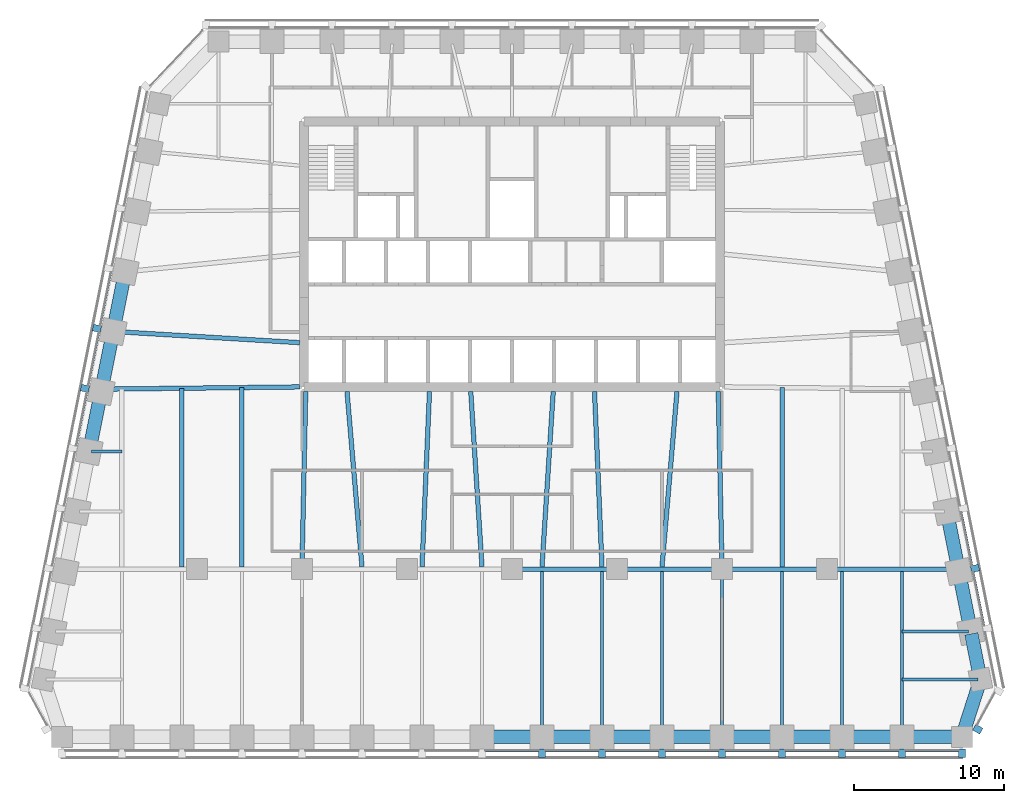
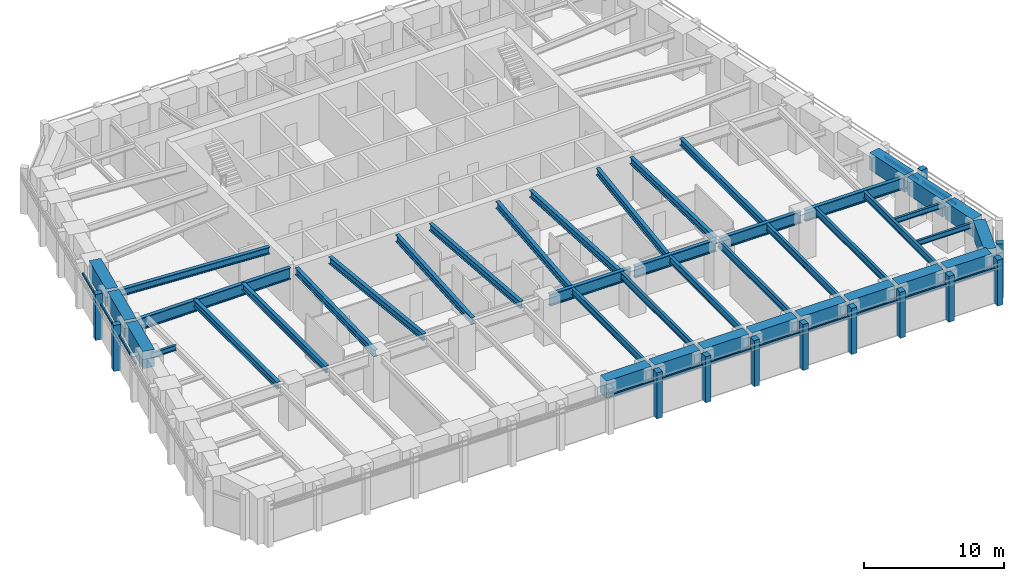
# One storey, part 2 of 9: 42 beams, 25 members, 4 elements without a shape of their own.
"""IFC4 building model written with IfcOpenShell, lengths in metres."""

from ifc_helpers import new_model, si_unit, direction, frame, origin, origin_2d, place, context, subcontext, project, spatial, rectangle, i_section, extrude, material, material_profile, profile_set, type_object, element, aggregate, save


model = new_model("IFC4")

# Units and contexts
model_context = context("Model", 3, precision=1e-05, world=origin(), true_north=direction((0.0, 1.0)))
body_context = subcontext(model_context, "Body", "Model", "MODEL_VIEW")
ifc_project = project(units=[si_unit("LENGTHUNIT", "METRE"), si_unit("AREAUNIT", "SQUARE_METRE"), si_unit("VOLUMEUNIT", "CUBIC_METRE"), si_unit("PLANEANGLEUNIT", "RADIAN"), si_unit("MASSUNIT", "GRAM", prefix="KILO")], contexts=[model_context])

# Site, building, storey
site_placement = place(None, origin())
site = spatial("IfcSite", under=ifc_project, at=site_placement, CompositionType="ELEMENT")
building_placement = place(site_placement, origin())
building = spatial("IfcBuilding", under=site, at=building_placement, Name="Isbrekke Arena Tower", CompositionType="ELEMENT")
storey_placement = place(building_placement, frame((0.0, 0.0, 178.0)))
storey = spatial("IfcBuildingStorey", under=building, at=storey_placement, Name="L40", CompositionType="ELEMENT", Elevation=178.0)

# Beams
ifc_material_1 = material(Name="Steel S355", Category="steel")
ifc_material_profile_1 = material_profile(ifc_material_1, i_section(OverallWidth=0.219970703125, OverallDepth=0.60009765625, WebThickness=0.011962890625, FlangeThickness=0.01904296875, FilletRadius=0.02392578125, at=origin_2d()), Name="IPE 600")
ifc_profile_set_1 = profile_set([ifc_material_profile_1], Name="Steel S355")
beam_type_1 = type_object("IfcBeamType", Name="B1 IPE 600", PredefinedType="BEAM", material=ifc_profile_set_1)
for number, where, z_axis, x_axis, name in (
    (1, (2.0, -17.02490234375, 3.550048828125), (0.0, 1.0, 0.0), (-1.0, 0.0, 0.0), "B1 beam S-S09 L40"),
    (2, (6.0, -17.02490234375, 3.550048828125), (0.0, 1.0, 0.0), (-1.0, 0.0, 0.0), "B1 beam S-S10 L40"),
    (3, (10.0, -17.02490234375, 3.550048828125), (0.0, 1.0, 0.0), (-1.0, 0.0, 0.0), "B1 beam S-S11 L40"),
):
    element("IfcBeam", number, at=place(storey_placement, frame(where, z_axis=z_axis, x_axis=x_axis)), inside=storey, type_object=beam_type_1, Name=name, PredefinedType="BEAM", context=body_context, shape_type="SweptSolid", body=[
        extrude(i_section(OverallWidth=0.219970703125, OverallDepth=0.60009765625, WebThickness=0.011962890625, FlangeThickness=0.01904296875, FilletRadius=0.02392578125, at=origin_2d()), origin(), (0.0, 0.0, 1.0), 10.8740234375),
    ])
beam_1_placement = place(storey_placement, frame((14.0, -17.02490234375, 3.550048828125), z_axis=(0.0, 1.0, 0.0), x_axis=(-1.0, 0.0, 0.0)))
element("IfcBeam", 4, at=beam_1_placement, inside=storey, type_object=beam_type_1, Name="B1 beam S-S12 L40", PredefinedType="BEAM", context=body_context, shape_type="SweptSolid", body=[
    extrude(i_section(OverallWidth=0.219970703125, OverallDepth=0.60009765625, WebThickness=0.011962890625, FlangeThickness=0.01904296875, FilletRadius=0.02392578125, at=origin_2d()), origin(), (0.0, 0.0, 1.0), 10.875),
])
for number, where, z_axis, x_axis, name in (
    (5, (18.0, -17.02490234375, 3.550048828125), (0.0, 1.0, 0.0), (-1.0, 0.0, 0.0), "B1 beam S-S13 L40"),
    (6, (22.0, -17.02490234375, 3.550048828125), (0.0, 1.0, 0.0), (-1.0, 0.0, 0.0), "B1 beam S-S14 L40"),
    (7, (26.0, -17.02490234375, 3.550048828125), (0.0, 1.0, 0.0), (-1.0, 0.0, 0.0), "B1 beam S-S15 L40"),
):
    element("IfcBeam", number, at=place(storey_placement, frame(where, z_axis=z_axis, x_axis=x_axis)), inside=storey, type_object=beam_type_1, Name=name, PredefinedType="BEAM", context=body_context, shape_type="SweptSolid", body=[
        extrude(i_section(OverallWidth=0.219970703125, OverallDepth=0.60009765625, WebThickness=0.011962890625, FlangeThickness=0.01904296875, FilletRadius=0.02392578125, at=origin_2d()), origin(), (0.0, 0.0, 1.0), 10.8740234375),
    ])
ifc_material_2 = material(Name="Steel S355", Category="steel")
ifc_material_profile_2 = material_profile(ifc_material_2, i_section(OverallWidth=0.18994140625, OverallDepth=0.449951171875, WebThickness=0.009521484375, FlangeThickness=0.0146484375, FilletRadius=0.02099609375, at=origin_2d()), Name="IPE 450")
ifc_profile_set_2 = profile_set([ifc_material_profile_2], Name="Steel S355")
beam_type_2 = type_object("IfcBeamType", Name="B2 IPE 450", PredefinedType="BEAM", material=ifc_profile_set_2)
beam_2_placement = place(storey_placement, frame((31.079345703125, -13.352783203125, 3.625), z_axis=(-1.0, 0.0, 0.0), x_axis=(0.0, -1.0, 0.0)))
element("IfcBeam", 8, at=beam_2_placement, inside=storey, type_object=beam_type_2, Name="B2 beam E-E01 L40", PredefinedType="BEAM", context=body_context, shape_type="SweptSolid", body=[
    extrude(i_section(OverallWidth=0.18994140625, OverallDepth=0.449951171875, WebThickness=0.009521484375, FlangeThickness=0.0146484375, FilletRadius=0.02099609375, at=origin_2d()), origin(), (0.0, 0.0, 1.0), 5.079345703125),
])
beam_3_placement = place(storey_placement, frame((30.44091796875, -10.161865234375, 3.625), z_axis=(-1.0, 0.0, 0.0), x_axis=(0.0, -1.0, 0.0)))
element("IfcBeam", 9, at=beam_3_placement, inside=storey, type_object=beam_type_2, Name="B2 beam E-E02 L40", PredefinedType="BEAM", context=body_context, shape_type="SweptSolid", body=[
    extrude(i_section(OverallWidth=0.18994140625, OverallDepth=0.449951171875, WebThickness=0.009521484375, FlangeThickness=0.0146484375, FilletRadius=0.02099609375, at=origin_2d()), origin(), (0.0, 0.0, 1.0), 4.44091796875),
])
beam_4_placement = place(storey_placement, frame((-28.041015625, 1.838134765625, 3.625), z_axis=(1.0, 0.0, 0.0), x_axis=(0.0, 1.0, 0.0)))
element("IfcBeam", 10, at=beam_4_placement, inside=storey, type_object=beam_type_2, Name="B2 beam E-W07 L40", PredefinedType="BEAM", context=body_context, shape_type="SweptSolid", body=[
    extrude(i_section(OverallWidth=0.18994140625, OverallDepth=0.449951171875, WebThickness=0.009521484375, FlangeThickness=0.0146484375, FilletRadius=0.02099609375, at=origin_2d()), origin(), (0.0, 0.0, 1.0), 2.041015625),
])
ifc_material_3 = material(Name="Steel S355", Category="steel")
ifc_material_profile_3 = material_profile(ifc_material_3, i_section(OverallWidth=0.300048828125, OverallDepth=0.60009765625, WebThickness=0.015380859375, FlangeThickness=0.030029296875, FilletRadius=0.027099609375, at=origin_2d()), Name="HEB 600")
ifc_profile_set_3 = profile_set([ifc_material_profile_3], Name="Steel S355")
beam_type_3 = type_object("IfcBeamType", Name="B7 HEB 600", PredefinedType="BEAM", material=ifc_profile_set_3)
beam_5_placement = place(storey_placement, frame((-22.0, -5.84912109375, 3.550048828125), z_axis=(0.0, 1.0, 0.0), x_axis=(-1.0, 0.0, 0.0)))
element("IfcBeam", 11, at=beam_5_placement, inside=storey, type_object=beam_type_3, Name="B7 beam C-M02 L40", PredefinedType="BEAM", context=body_context, shape_type="SweptSolid", body=[
    extrude(i_section(OverallWidth=0.300048828125, OverallDepth=0.60009765625, WebThickness=0.015380859375, FlangeThickness=0.030029296875, FilletRadius=0.027099609375, at=origin_2d()), origin(), (0.0, 0.0, 1.0), 11.91015625),
])
beam_6_placement = place(storey_placement, frame((-18.0, -5.84912109375, 3.550048828125), z_axis=(0.0, 1.0, 0.0), x_axis=(-1.0, 0.0, 0.0)))
element("IfcBeam", 12, at=beam_6_placement, inside=storey, type_object=beam_type_3, Name="B7 beam C-M03 L40", PredefinedType="BEAM", context=body_context, shape_type="SweptSolid", body=[
    extrude(i_section(OverallWidth=0.300048828125, OverallDepth=0.60009765625, WebThickness=0.015380859375, FlangeThickness=0.030029296875, FilletRadius=0.027099609375, at=origin_2d()), origin(), (0.0, 0.0, 1.0), 11.95556640625),
])
beam_7_placement = place(storey_placement, frame((-14.0, -5.8466796875, 3.550048828125), z_axis=(0.021368528218, 0.999771666933, 0.0), x_axis=(-0.999771666933, 0.021368528218, 0.0)))
element("IfcBeam", 13, at=beam_7_placement, inside=storey, type_object=beam_type_3, Name="B7 beam C-M04 L40", PredefinedType="BEAM", context=body_context, shape_type="SweptSolid", body=[
    extrude(i_section(OverallWidth=0.300048828125, OverallDepth=0.60009765625, WebThickness=0.015380859375, FlangeThickness=0.030029296875, FilletRadius=0.027099609375, at=origin_2d()), origin(), (0.0, 0.0, 1.0), 11.699462890625),
])
beam_8_placement = place(storey_placement, frame((-10.0009765625, -5.836181640625, 3.550048828125), z_axis=(-0.085176202372, 0.996365903948, 0.0), x_axis=(-0.996365903948, -0.085176202372, 0.0)))
element("IfcBeam", 14, at=beam_8_placement, inside=storey, type_object=beam_type_3, Name="B7 beam C-M05 L40", PredefinedType="BEAM", context=body_context, shape_type="SweptSolid", body=[
    extrude(i_section(OverallWidth=0.300048828125, OverallDepth=0.60009765625, WebThickness=0.015380859375, FlangeThickness=0.030029296875, FilletRadius=0.027099609375, at=origin_2d()), origin(), (0.0, 0.0, 1.0), 11.72900390625),
])
beam_9_placement = place(storey_placement, frame((-5.999755859375, -5.842529296875, 3.550048828125), z_axis=(0.042702124015, 0.999087848292, 0.0), x_axis=(-0.999087848292, 0.042702124015, 0.0)))
element("IfcBeam", 15, at=beam_9_placement, inside=storey, type_object=beam_type_3, Name="B7 beam C-M06 L40", PredefinedType="BEAM", context=body_context, shape_type="SweptSolid", body=[
    extrude(i_section(OverallWidth=0.300048828125, OverallDepth=0.60009765625, WebThickness=0.015380859375, FlangeThickness=0.030029296875, FilletRadius=0.027099609375, at=origin_2d()), origin(), (0.0, 0.0, 1.0), 11.703369140625),
])
for number, where, z_axis, x_axis, name in (
    (16, (-2.000732421875, -5.83935546875, 3.550048828125), (-0.063966475255, 0.997952047968, 0.0), (-0.997952047968, -0.063966475255, 0.0), "B7 beam C-M07 L40"),
    (17, (2.000732421875, -5.83935546875, 3.550048828125), (0.063966475255, 0.997952047968, 0.0), (-0.997952047968, 0.063966475255, 0.0), "B7 beam C-M08 L40"),
):
    element("IfcBeam", number, at=place(storey_placement, frame(where, z_axis=z_axis, x_axis=x_axis)), inside=storey, type_object=beam_type_3, Name=name, PredefinedType="BEAM", context=body_context, shape_type="SweptSolid", body=[
        extrude(i_section(OverallWidth=0.300048828125, OverallDepth=0.60009765625, WebThickness=0.015380859375, FlangeThickness=0.030029296875, FilletRadius=0.027099609375, at=origin_2d()), origin(), (0.0, 0.0, 1.0), 11.71337890625),
    ])
beam_10_placement = place(storey_placement, frame((5.999755859375, -5.842529296875, 3.550048828125), z_axis=(-0.042702124015, 0.999087848292, 0.0), x_axis=(-0.999087848292, -0.042702124015, 0.0)))
element("IfcBeam", 18, at=beam_10_placement, inside=storey, type_object=beam_type_3, Name="B7 beam C-M09 L40", PredefinedType="BEAM", context=body_context, shape_type="SweptSolid", body=[
    extrude(i_section(OverallWidth=0.300048828125, OverallDepth=0.60009765625, WebThickness=0.015380859375, FlangeThickness=0.030029296875, FilletRadius=0.027099609375, at=origin_2d()), origin(), (0.0, 0.0, 1.0), 11.703369140625),
])
beam_11_placement = place(storey_placement, frame((10.0009765625, -5.836181640625, 3.550048828125), z_axis=(0.085176202372, 0.996365903948, 0.0), x_axis=(-0.996365903948, 0.085176202372, 0.0)))
element("IfcBeam", 19, at=beam_11_placement, inside=storey, type_object=beam_type_3, Name="B7 beam C-M10 L40", PredefinedType="BEAM", context=body_context, shape_type="SweptSolid", body=[
    extrude(i_section(OverallWidth=0.300048828125, OverallDepth=0.60009765625, WebThickness=0.015380859375, FlangeThickness=0.030029296875, FilletRadius=0.027099609375, at=origin_2d()), origin(), (0.0, 0.0, 1.0), 11.72900390625),
])
beam_12_placement = place(storey_placement, frame((14.0, -5.8466796875, 3.550048828125), z_axis=(-0.021368528218, 0.999771666933, 0.0), x_axis=(-0.999771666933, -0.021368528218, 0.0)))
element("IfcBeam", 20, at=beam_12_placement, inside=storey, type_object=beam_type_3, Name="B7 beam C-M11 L40", PredefinedType="BEAM", context=body_context, shape_type="SweptSolid", body=[
    extrude(i_section(OverallWidth=0.300048828125, OverallDepth=0.60009765625, WebThickness=0.015380859375, FlangeThickness=0.030029296875, FilletRadius=0.027099609375, at=origin_2d()), origin(), (0.0, 0.0, 1.0), 11.699462890625),
])
beam_13_placement = place(storey_placement, frame((18.0, -5.84912109375, 3.550048828125), z_axis=(0.0, 1.0, 0.0), x_axis=(-1.0, 0.0, 0.0)))
element("IfcBeam", 21, at=beam_13_placement, inside=storey, type_object=beam_type_3, Name="B7 beam C-M12 L40", PredefinedType="BEAM", context=body_context, shape_type="SweptSolid", body=[
    extrude(i_section(OverallWidth=0.300048828125, OverallDepth=0.60009765625, WebThickness=0.015380859375, FlangeThickness=0.030029296875, FilletRadius=0.027099609375, at=origin_2d()), origin(), (0.0, 0.0, 1.0), 11.95556640625),
])
beam_14_placement = place(storey_placement, frame((-26.43212890625, 9.837646484375, 3.550048828125), z_axis=(0.998201854902, -0.059942112659, 0.0), x_axis=(0.059942112659, 0.998201854902, 0.0)))
element("IfcBeam", 22, at=beam_14_placement, inside=storey, type_object=beam_type_3, Name="B7 beam E-W05 L40", PredefinedType="BEAM", context=body_context, shape_type="SweptSolid", body=[
    extrude(i_section(OverallWidth=0.300048828125, OverallDepth=0.60009765625, WebThickness=0.015380859375, FlangeThickness=0.030029296875, FilletRadius=0.027099609375, at=origin_2d()), origin(), (0.0, 0.0, 1.0), 12.304443359375),
])

# Curtain wall, members
ifc_material_4 = material(Name="Glazed aluminium curtain wall", Category="aluminium")
curtain_wall_type = type_object("IfcCurtainWallType", Name="CWH TOWER CURTAIN WALL HIGH ZONE", PredefinedType="USERDEFINED", material=ifc_material_4)
curtain_wall_1_placement = place(storey_placement, origin())
curtain_wall_1 = element("IfcCurtainWall", 23, at=curtain_wall_1_placement, inside=storey, type_object=curtain_wall_type, Name="CWH curtain wall L40-S", ObjectType="TOWER CURTAIN WALL HIGH ZONE", PredefinedType="USERDEFINED")
ifc_material_5 = material(Name="Aluminium mullion, pale brick slip cladding", Category="masonry")
ifc_material_profile_4 = material_profile(ifc_material_5, rectangle(XDim=0.449951171875, YDim=0.550048828125, at=origin_2d()), Name="PIER 450X550")
ifc_profile_set_4 = profile_set([ifc_material_profile_4], Name="Aluminium mullion, pale brick slip cladding")
member_type_1 = type_object("IfcMemberType", Name="CWH-M PIER MULLION 450 x 550", PredefinedType="MULLION", material=ifc_profile_set_4)
member_1_placement = place(storey_placement, frame((2.0, -18.27490234375, 0.0), z_axis=(0.0, 0.0, 1.0), x_axis=(1.0, 0.0, 0.0)))
member_1 = element("IfcMember", 24, at=member_1_placement, type_object=member_type_1, Name="CWH-M mullion 9", PredefinedType="MULLION", context=body_context, shape_type="SweptSolid", body=[
    extrude(rectangle(XDim=0.449951171875, YDim=0.550048828125, at=origin_2d()), origin(), (0.0, 0.0, 1.0), 4.0),
])
member_2_placement = place(storey_placement, frame((6.0, -18.27490234375, 0.0), z_axis=(0.0, 0.0, 1.0), x_axis=(1.0, 0.0, 0.0)))
member_2 = element("IfcMember", 25, at=member_2_placement, type_object=member_type_1, Name="CWH-M mullion 10", PredefinedType="MULLION", context=body_context, shape_type="SweptSolid", body=[
    extrude(rectangle(XDim=0.449951171875, YDim=0.550048828125, at=origin_2d()), origin(), (0.0, 0.0, 1.0), 4.0),
])
member_3_placement = place(storey_placement, frame((10.0, -18.27490234375, 0.0), z_axis=(0.0, 0.0, 1.0), x_axis=(1.0, 0.0, 0.0)))
member_3 = element("IfcMember", 26, at=member_3_placement, type_object=member_type_1, Name="CWH-M mullion 11", PredefinedType="MULLION", context=body_context, shape_type="SweptSolid", body=[
    extrude(rectangle(XDim=0.449951171875, YDim=0.550048828125, at=origin_2d()), origin(), (0.0, 0.0, 1.0), 4.0),
])
member_4_placement = place(storey_placement, frame((14.0, -18.27490234375, 0.0), z_axis=(0.0, 0.0, 1.0), x_axis=(1.0, 0.0, 0.0)))
member_4 = element("IfcMember", 27, at=member_4_placement, type_object=member_type_1, Name="CWH-M mullion 12", PredefinedType="MULLION", context=body_context, shape_type="SweptSolid", body=[
    extrude(rectangle(XDim=0.449951171875, YDim=0.550048828125, at=origin_2d()), origin(), (0.0, 0.0, 1.0), 4.0),
])
member_5_placement = place(storey_placement, frame((18.0, -18.27490234375, 0.0), z_axis=(0.0, 0.0, 1.0), x_axis=(1.0, 0.0, 0.0)))
member_5 = element("IfcMember", 28, at=member_5_placement, type_object=member_type_1, Name="CWH-M mullion 13", PredefinedType="MULLION", context=body_context, shape_type="SweptSolid", body=[
    extrude(rectangle(XDim=0.449951171875, YDim=0.550048828125, at=origin_2d()), origin(), (0.0, 0.0, 1.0), 4.0),
])
member_6_placement = place(storey_placement, frame((22.0, -18.27490234375, 0.0), z_axis=(0.0, 0.0, 1.0), x_axis=(1.0, 0.0, 0.0)))
member_6 = element("IfcMember", 29, at=member_6_placement, type_object=member_type_1, Name="CWH-M mullion 14", PredefinedType="MULLION", context=body_context, shape_type="SweptSolid", body=[
    extrude(rectangle(XDim=0.449951171875, YDim=0.550048828125, at=origin_2d()), origin(), (0.0, 0.0, 1.0), 4.0),
])
member_7_placement = place(storey_placement, frame((26.0, -18.27490234375, 0.0), z_axis=(0.0, 0.0, 1.0), x_axis=(1.0, 0.0, 0.0)))
member_7 = element("IfcMember", 30, at=member_7_placement, type_object=member_type_1, Name="CWH-M mullion 15", PredefinedType="MULLION", context=body_context, shape_type="SweptSolid", body=[
    extrude(rectangle(XDim=0.449951171875, YDim=0.550048828125, at=origin_2d()), origin(), (0.0, 0.0, 1.0), 4.0),
])
member_8_placement = place(storey_placement, frame((30.0, -18.27490234375, 0.0), z_axis=(0.0, 0.0, 1.0), x_axis=(1.0, 0.0, 0.0)))
member_8 = element("IfcMember", 31, at=member_8_placement, type_object=member_type_1, Name="CWH-M mullion 16", PredefinedType="MULLION", context=body_context, shape_type="SweptSolid", body=[
    extrude(rectangle(XDim=0.449951171875, YDim=0.550048828125, at=origin_2d()), origin(), (0.0, 0.0, 1.0), 4.0),
])

# Curtain wall, member
curtain_wall_2_placement = place(storey_placement, origin())
curtain_wall_2 = element("IfcCurtainWall", 32, at=curtain_wall_2_placement, inside=storey, type_object=curtain_wall_type, Name="CWH curtain wall L40-SE", ObjectType="TOWER CURTAIN WALL HIGH ZONE", PredefinedType="USERDEFINED")
member_9_placement = place(storey_placement, frame((31.047119140625, -16.666748046875, 0.0), z_axis=(0.0, 0.0, 1.0), x_axis=(0.481918749773, 0.876215908676, 0.0)))
member_9 = element("IfcMember", 33, at=member_9_placement, type_object=member_type_1, Name="CWH-M mullion 1", PredefinedType="MULLION", context=body_context, shape_type="SweptSolid", body=[
    extrude(rectangle(XDim=0.449951171875, YDim=0.550048828125, at=origin_2d()), origin(), (0.0, 0.0, 1.0), 4.0),
])
aggregate(curtain_wall_2, [member_9])

curtain_wall_3_placement = place(storey_placement, origin())
curtain_wall_3 = element("IfcCurtainWall", 34, at=curtain_wall_3_placement, inside=storey, type_object=curtain_wall_type, Name="CWH curtain wall L40-E", ObjectType="TOWER CURTAIN WALL HIGH ZONE", PredefinedType="USERDEFINED")
member_10_placement = place(storey_placement, frame((30.86962890625, -5.946044921875, 0.0), z_axis=(0.0, 0.0, 1.0), x_axis=(-0.196116135138, 0.980580675691, 0.0)))
member_10 = element("IfcMember", 35, at=member_10_placement, type_object=member_type_1, Name="CWH-M mullion 2", PredefinedType="MULLION", context=body_context, shape_type="SweptSolid", body=[
    extrude(rectangle(XDim=0.449951171875, YDim=0.550048828125, at=origin_2d()), origin(), (0.0, 0.0, 1.0), 4.0),
])

# Curtain wall, members
curtain_wall_4_placement = place(storey_placement, origin())
curtain_wall_4 = element("IfcCurtainWall", 36, at=curtain_wall_4_placement, inside=storey, type_object=curtain_wall_type, Name="CWH curtain wall L40-W", ObjectType="TOWER CURTAIN WALL HIGH ZONE", PredefinedType="USERDEFINED")
member_11_placement = place(storey_placement, frame((-27.669677734375, 10.053955078125, 0.0), z_axis=(0.0, 0.0, 1.0), x_axis=(-0.196116135138, -0.980580675691, 0.0)))
member_11 = element("IfcMember", 37, at=member_11_placement, type_object=member_type_1, Name="CWH-M mullion 4", PredefinedType="MULLION", context=body_context, shape_type="SweptSolid", body=[
    extrude(rectangle(XDim=0.449951171875, YDim=0.550048828125, at=origin_2d()), origin(), (0.0, 0.0, 1.0), 4.0),
])
member_12_placement = place(storey_placement, frame((-28.4697265625, 6.053955078125, 0.0), z_axis=(0.0, 0.0, 1.0), x_axis=(-0.196116135138, -0.980580675691, 0.0)))
member_12 = element("IfcMember", 38, at=member_12_placement, type_object=member_type_1, Name="CWH-M mullion 5", PredefinedType="MULLION", context=body_context, shape_type="SweptSolid", body=[
    extrude(rectangle(XDim=0.449951171875, YDim=0.550048828125, at=origin_2d()), origin(), (0.0, 0.0, 1.0), 4.0),
])

# Member
ifc_material_6 = material(Name="Aluminium transom", Category="aluminium")
ifc_material_profile_5 = material_profile(ifc_material_6, rectangle(XDim=0.1201171875, YDim=0.199951171875, at=origin_2d()), Name="TRANSOM 120X200")
ifc_profile_set_5 = profile_set([ifc_material_profile_5], Name="Aluminium transom")
member_type_2 = type_object("IfcMemberType", Name="CWH-T TRANSOM 120 x 200", PredefinedType="USERDEFINED", material=ifc_profile_set_5)
member_13_placement = place(storey_placement, frame((-1.77490234375, -18.10009765625, 3.0), z_axis=(1.0, 0.0, 0.0), x_axis=(0.0, 1.0, 0.0)))
member_13 = element("IfcMember", 39, at=member_13_placement, type_object=member_type_2, Name="CWH-T transom 8", ObjectType="TRANSOM", PredefinedType="USERDEFINED", context=body_context, shape_type="SweptSolid", body=[
    extrude(rectangle(XDim=0.1201171875, YDim=0.199951171875, at=origin_2d()), origin(), (0.0, 0.0, 1.0), 3.5498046875),
])

member_14_placement = place(storey_placement, frame((2.22509765625, -18.10009765625, 3.0), z_axis=(1.0, 0.0, 0.0), x_axis=(0.0, 1.0, 0.0)))
member_14 = element("IfcMember", 40, at=member_14_placement, type_object=member_type_2, Name="CWH-T transom 9", ObjectType="TRANSOM", PredefinedType="USERDEFINED", context=body_context, shape_type="SweptSolid", body=[
    extrude(rectangle(XDim=0.1201171875, YDim=0.199951171875, at=origin_2d()), origin(), (0.0, 0.0, 1.0), 3.5498046875),
])

member_15_placement = place(storey_placement, frame((6.22509765625, -18.10009765625, 3.0), z_axis=(1.0, 0.0, 0.0), x_axis=(0.0, 1.0, 0.0)))
member_15 = element("IfcMember", 41, at=member_15_placement, type_object=member_type_2, Name="CWH-T transom 10", ObjectType="TRANSOM", PredefinedType="USERDEFINED", context=body_context, shape_type="SweptSolid", body=[
    extrude(rectangle(XDim=0.1201171875, YDim=0.199951171875, at=origin_2d()), origin(), (0.0, 0.0, 1.0), 3.5498046875),
])

member_16_placement = place(storey_placement, frame((10.22509765625, -18.10009765625, 3.0), z_axis=(1.0, 0.0, 0.0), x_axis=(0.0, 1.0, 0.0)))
member_16 = element("IfcMember", 42, at=member_16_placement, type_object=member_type_2, Name="CWH-T transom 11", ObjectType="TRANSOM", PredefinedType="USERDEFINED", context=body_context, shape_type="SweptSolid", body=[
    extrude(rectangle(XDim=0.1201171875, YDim=0.199951171875, at=origin_2d()), origin(), (0.0, 0.0, 1.0), 3.5498046875),
])

member_17_placement = place(storey_placement, frame((14.22509765625, -18.10009765625, 3.0), z_axis=(1.0, 0.0, 0.0), x_axis=(0.0, 1.0, 0.0)))
member_17 = element("IfcMember", 43, at=member_17_placement, type_object=member_type_2, Name="CWH-T transom 12", ObjectType="TRANSOM", PredefinedType="USERDEFINED", context=body_context, shape_type="SweptSolid", body=[
    extrude(rectangle(XDim=0.1201171875, YDim=0.199951171875, at=origin_2d()), origin(), (0.0, 0.0, 1.0), 3.5498046875),
])

member_18_placement = place(storey_placement, frame((18.22509765625, -18.10009765625, 3.0), z_axis=(1.0, 0.0, 0.0), x_axis=(0.0, 1.0, 0.0)))
member_18 = element("IfcMember", 44, at=member_18_placement, type_object=member_type_2, Name="CWH-T transom 13", ObjectType="TRANSOM", PredefinedType="USERDEFINED", context=body_context, shape_type="SweptSolid", body=[
    extrude(rectangle(XDim=0.1201171875, YDim=0.199951171875, at=origin_2d()), origin(), (0.0, 0.0, 1.0), 3.5498046875),
])

member_19_placement = place(storey_placement, frame((22.22509765625, -18.10009765625, 3.0), z_axis=(1.0, 0.0, 0.0), x_axis=(0.0, 1.0, 0.0)))
member_19 = element("IfcMember", 45, at=member_19_placement, type_object=member_type_2, Name="CWH-T transom 14", ObjectType="TRANSOM", PredefinedType="USERDEFINED", context=body_context, shape_type="SweptSolid", body=[
    extrude(rectangle(XDim=0.1201171875, YDim=0.199951171875, at=origin_2d()), origin(), (0.0, 0.0, 1.0), 3.5498046875),
])

member_20_placement = place(storey_placement, frame((26.22509765625, -18.10009765625, 3.0), z_axis=(1.0, 0.0, 0.0), x_axis=(0.0, 1.0, 0.0)))
member_20 = element("IfcMember", 46, at=member_20_placement, type_object=member_type_2, Name="CWH-T transom 15", ObjectType="TRANSOM", PredefinedType="USERDEFINED", context=body_context, shape_type="SweptSolid", body=[
    extrude(rectangle(XDim=0.1201171875, YDim=0.199951171875, at=origin_2d()), origin(), (0.0, 0.0, 1.0), 3.5498046875),
])

aggregate(curtain_wall_1, [member_1, member_2, member_3, member_4, member_5, member_6, member_7, member_8, member_13, member_14, member_15, member_16, member_17, member_18, member_19, member_20])

member_21_placement = place(storey_placement, frame((31.453857421875, -9.759765625, 3.0), z_axis=(-0.196090262229, 0.980585849918, 0.0), x_axis=(-0.980585849918, -0.196090262229, 0.0)))
member_21 = element("IfcMember", 47, at=member_21_placement, type_object=member_type_2, Name="CWH-T transom 2", ObjectType="TRANSOM", PredefinedType="USERDEFINED", context=body_context, shape_type="SweptSolid", body=[
    extrude(rectangle(XDim=0.1201171875, YDim=0.199951171875, at=origin_2d()), origin(), (0.0, 0.0, 1.0), 3.62939453125),
])

member_22_placement = place(storey_placement, frame((30.654052734375, -5.759765625, 3.0), z_axis=(-0.196154943734, 0.980572913173, 0.0), x_axis=(-0.980572913173, -0.196154943734, 0.0)))
member_22 = element("IfcMember", 48, at=member_22_placement, type_object=member_type_2, Name="CWH-T transom 3", ObjectType="TRANSOM", PredefinedType="USERDEFINED", context=body_context, shape_type="SweptSolid", body=[
    extrude(rectangle(XDim=0.1201171875, YDim=0.199951171875, at=origin_2d()), origin(), (0.0, 0.0, 1.0), 3.62939453125),
])

aggregate(curtain_wall_3, [member_10, member_21, member_22])

member_23_placement = place(storey_placement, frame((-26.7421875, 13.799072265625, 3.0), z_axis=(-0.196090262229, -0.980585849918, 0.0), x_axis=(0.980585849918, -0.196090262229, 0.0)))
member_23 = element("IfcMember", 49, at=member_23_placement, type_object=member_type_2, Name="CWH-T transom 4", ObjectType="TRANSOM", PredefinedType="USERDEFINED", context=body_context, shape_type="SweptSolid", body=[
    extrude(rectangle(XDim=0.1201171875, YDim=0.199951171875, at=origin_2d()), origin(), (0.0, 0.0, 1.0), 3.62939453125),
])

member_24_placement = place(storey_placement, frame((-27.542236328125, 9.799072265625, 3.0), z_axis=(-0.196090262229, -0.980585849918, 0.0), x_axis=(0.980585849918, -0.196090262229, 0.0)))
member_24 = element("IfcMember", 50, at=member_24_placement, type_object=member_type_2, Name="CWH-T transom 5", ObjectType="TRANSOM", PredefinedType="USERDEFINED", context=body_context, shape_type="SweptSolid", body=[
    extrude(rectangle(XDim=0.1201171875, YDim=0.199951171875, at=origin_2d()), origin(), (0.0, 0.0, 1.0), 3.62939453125),
])

member_25_placement = place(storey_placement, frame((-28.34228515625, 5.799072265625, 3.0), z_axis=(-0.196090262229, -0.980585849918, 0.0), x_axis=(0.980585849918, -0.196090262229, 0.0)))
member_25 = element("IfcMember", 51, at=member_25_placement, type_object=member_type_2, Name="CWH-T transom 6", ObjectType="TRANSOM", PredefinedType="USERDEFINED", context=body_context, shape_type="SweptSolid", body=[
    extrude(rectangle(XDim=0.1201171875, YDim=0.199951171875, at=origin_2d()), origin(), (0.0, 0.0, 1.0), 3.62939453125),
])

aggregate(curtain_wall_4, [member_11, member_12, member_23, member_24, member_25])

# Beams
ifc_material_7 = material(Name="Steel S355", Category="steel")
ifc_material_profile_6 = material_profile(ifc_material_7, i_section(OverallWidth=0.302001953125, OverallDepth=1.008056640625, WebThickness=0.02099609375, FlangeThickness=0.0400390625, FilletRadius=0.030029296875, at=origin_2d()), Name="HEM 1000")
ifc_profile_set_6 = profile_set([ifc_material_profile_6], Name="Steel S355")
beam_type_4 = type_object("IfcBeamType", Name="G1 HEM 1000", PredefinedType="BEAM", material=ifc_profile_set_6)
for number, where, z_axis, x_axis, name in (
    (52, (0.14990234375, -6.0, 3.345947265625), (1.0, 0.0, 0.0), (0.0, 1.0, 0.0), "G1 beam G1-05 L40"),
    (53, (7.14990234375, -6.0, 3.345947265625), (1.0, 0.0, 0.0), (0.0, 1.0, 0.0), "G1 beam G1-06 L40"),
    (54, (14.14990234375, -6.0, 3.345947265625), (1.0, 0.0, 0.0), (0.0, 1.0, 0.0), "G1 beam G1-07 L40"),
):
    element("IfcBeam", number, at=place(storey_placement, frame(where, z_axis=z_axis, x_axis=x_axis)), inside=storey, type_object=beam_type_4, Name=name, PredefinedType="BEAM", context=body_context, shape_type="SweptSolid", body=[
        extrude(i_section(OverallWidth=0.302001953125, OverallDepth=1.008056640625, WebThickness=0.02099609375, FlangeThickness=0.0400390625, FilletRadius=0.030029296875, at=origin_2d()), origin(), (0.0, 0.0, 1.0), 6.7001953125),
    ])
beam_15_placement = place(storey_placement, frame((21.14990234375, -6.0, 3.345947265625), z_axis=(1.0, 0.0, 0.0), x_axis=(0.0, 1.0, 0.0)))
element("IfcBeam", 55, at=beam_15_placement, inside=storey, type_object=beam_type_4, Name="G1 beam G1-08 L40", PredefinedType="BEAM", context=body_context, shape_type="SweptSolid", body=[
    extrude(i_section(OverallWidth=0.302001953125, OverallDepth=1.008056640625, WebThickness=0.02099609375, FlangeThickness=0.0400390625, FilletRadius=0.030029296875, at=origin_2d()), origin(), (0.0, 0.0, 1.0), 8.64111328125),
])
ifc_material_8 = material(Name="Steel S355", Category="steel")
ifc_material_profile_7 = material_profile(ifc_material_8, i_section(OverallWidth=0.302001953125, OverallDepth=1.008056640625, WebThickness=0.02099609375, FlangeThickness=0.0400390625, FilletRadius=0.030029296875, at=origin_2d()), Name="HEM 1000")
ifc_profile_set_7 = profile_set([ifc_material_profile_7], Name="Steel S355")
beam_type_5 = type_object("IfcBeamType", Name="G2 HEM 1000", PredefinedType="BEAM", material=ifc_profile_set_7)
beam_16_placement = place(storey_placement, frame((-14.14990234375, 6.14990234375, 3.345947265625), z_axis=(-0.999935908299, -0.011321629528, 0.0), x_axis=(0.011321629528, -0.999935908299, 0.0)))
element("IfcBeam", 56, at=beam_16_placement, inside=storey, type_object=beam_type_5, Name="G2 beam G2-W L40", PredefinedType="BEAM", context=body_context, shape_type="SweptSolid", body=[
    extrude(i_section(OverallWidth=0.302001953125, OverallDepth=1.008056640625, WebThickness=0.02099609375, FlangeThickness=0.0400390625, FilletRadius=0.030029296875, at=origin_2d()), origin(), (0.0, 0.0, 1.0), 13.240234375),
])
ifc_material_9 = material(Name="Concrete B65 (C65/80)", Category="concrete")
ifc_material_profile_8 = material_profile(ifc_material_9, rectangle(XDim=0.89990234375, YDim=1.5, at=origin_2d()), Name="RC 900x1500")
ifc_profile_set_8 = profile_set([ifc_material_profile_8], Name="Concrete B65 (C65/80)")
beam_type_6 = type_object("IfcBeamType", Name="SB3 RC 900 x 1500", PredefinedType="SPANDREL", material=ifc_profile_set_8)
for number, where, z_axis, x_axis, name in (
    (57, (-1.85009765625, -17.175048828125, 3.25), (1.0, 0.0, 0.0), (0.0, 1.0, 0.0), "SB3 spandrel S08-S09 L40"),
    (58, (2.14990234375, -17.175048828125, 3.25), (1.0, 0.0, 0.0), (0.0, 1.0, 0.0), "SB3 spandrel S09-S10 L40"),
    (59, (6.14990234375, -17.175048828125, 3.25), (1.0, 0.0, 0.0), (0.0, 1.0, 0.0), "SB3 spandrel S10-S11 L40"),
    (60, (10.14990234375, -17.175048828125, 3.25), (1.0, 0.0, 0.0), (0.0, 1.0, 0.0), "SB3 spandrel S11-S12 L40"),
    (61, (14.14990234375, -17.175048828125, 3.25), (1.0, 0.0, 0.0), (0.0, 1.0, 0.0), "SB3 spandrel S12-S13 L40"),
    (62, (18.14990234375, -17.175048828125, 3.25), (1.0, 0.0, 0.0), (0.0, 1.0, 0.0), "SB3 spandrel S13-S14 L40"),
    (63, (22.14990234375, -17.175048828125, 3.25), (1.0, 0.0, 0.0), (0.0, 1.0, 0.0), "SB3 spandrel S14-S15 L40"),
    (64, (26.14990234375, -17.175048828125, 3.25), (1.0, 0.0, 0.0), (0.0, 1.0, 0.0), "SB3 spandrel S15-S16 L40"),
):
    element("IfcBeam", number, at=place(storey_placement, frame(where, z_axis=z_axis, x_axis=x_axis)), inside=storey, type_object=beam_type_6, Name=name, PredefinedType="SPANDREL", context=body_context, shape_type="SweptSolid", body=[
        extrude(rectangle(XDim=0.89990234375, YDim=1.5, at=origin_2d()), origin(), (0.0, 0.0, 1.0), 3.7001953125),
    ])
beam_17_placement = place(storey_placement, frame((30.0458984375, -17.0322265625, 3.25), z_axis=(0.306175101476, 0.951975213562, 0.0), x_axis=(-0.951975213562, 0.306175101476, 0.0)))
element("IfcBeam", 65, at=beam_17_placement, inside=storey, type_object=beam_type_6, Name="SB3 spandrel S16-E01 L40", PredefinedType="SPANDREL", context=body_context, shape_type="SweptSolid", body=[
    extrude(rectangle(XDim=0.89990234375, YDim=1.5, at=origin_2d()), origin(), (0.0, 0.0, 1.0), 3.715087890625),
])
beam_18_placement = place(storey_placement, frame((31.19970703125, -13.205810546875, 3.25), z_axis=(-0.196100243168, 0.980583853951, 0.0), x_axis=(-0.980583853951, -0.196100243168, 0.0)))
element("IfcBeam", 66, at=beam_18_placement, inside=storey, type_object=beam_type_6, Name="SB3 spandrel E01-E02 L40", PredefinedType="SPANDREL", context=body_context, shape_type="SweptSolid", body=[
    extrude(rectangle(XDim=0.89990234375, YDim=1.5, at=origin_2d()), origin(), (0.0, 0.0, 1.0), 2.954345703125),
])
beam_19_placement = place(storey_placement, frame((30.5615234375, -10.0146484375, 3.25), z_axis=(-0.1960664412, 0.980590613169, 0.0), x_axis=(-0.980590613169, -0.1960664412, 0.0)))
element("IfcBeam", 67, at=beam_19_placement, inside=storey, type_object=beam_type_6, Name="SB3 spandrel E02-E03 L40", PredefinedType="SPANDREL", context=body_context, shape_type="SweptSolid", body=[
    extrude(rectangle(XDim=0.89990234375, YDim=1.5, at=origin_2d()), origin(), (0.0, 0.0, 1.0), 3.779052734375),
])
beam_20_placement = place(storey_placement, frame((29.76171875, -6.0146484375, 3.25), z_axis=(-0.196128558387, 0.980578190959, 0.0), x_axis=(-0.980578190959, -0.196128558387, 0.0)))
element("IfcBeam", 68, at=beam_20_placement, inside=storey, type_object=beam_type_6, Name="SB3 spandrel E03-E04 L40", PredefinedType="SPANDREL", context=body_context, shape_type="SweptSolid", body=[
    extrude(rectangle(XDim=0.89990234375, YDim=1.5, at=origin_2d()), origin(), (0.0, 0.0, 1.0), 3.779296875),
])
beam_21_placement = place(storey_placement, frame((-25.820556640625, 13.691162109375, 3.25), z_axis=(-0.1960664412, -0.980590613169, 0.0), x_axis=(0.980590613169, -0.1960664412, 0.0)))
element("IfcBeam", 69, at=beam_21_placement, inside=storey, type_object=beam_type_6, Name="SB3 spandrel W04-W05 L40", PredefinedType="SPANDREL", context=body_context, shape_type="SweptSolid", body=[
    extrude(rectangle(XDim=0.89990234375, YDim=1.5, at=origin_2d()), origin(), (0.0, 0.0, 1.0), 3.779052734375),
])
for number, where, z_axis, x_axis, name in (
    (70, (-26.620361328125, 9.691162109375, 3.25), (-0.196128558387, -0.980578190959, 0.0), (0.980578190959, -0.196128558387, 0.0), "SB3 spandrel W05-W06 L40"),
    (71, (-27.42041015625, 5.691162109375, 3.25), (-0.196128558387, -0.980578190959, 0.0), (0.980578190959, -0.196128558387, 0.0), "SB3 spandrel W06-W07 L40"),
):
    element("IfcBeam", number, at=place(storey_placement, frame(where, z_axis=z_axis, x_axis=x_axis)), inside=storey, type_object=beam_type_6, Name=name, PredefinedType="SPANDREL", context=body_context, shape_type="SweptSolid", body=[
        extrude(rectangle(XDim=0.89990234375, YDim=1.5, at=origin_2d()), origin(), (0.0, 0.0, 1.0), 3.779296875),
    ])

save(model, "model.ifc")
